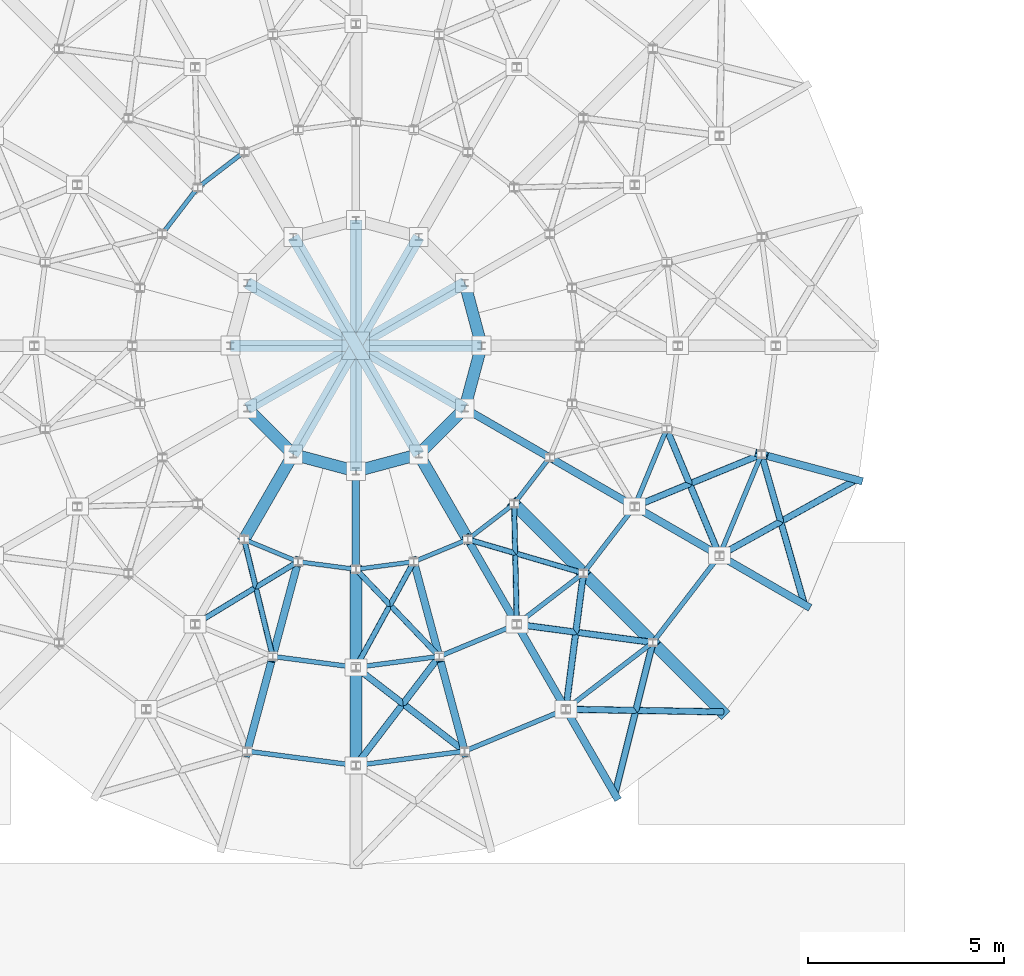
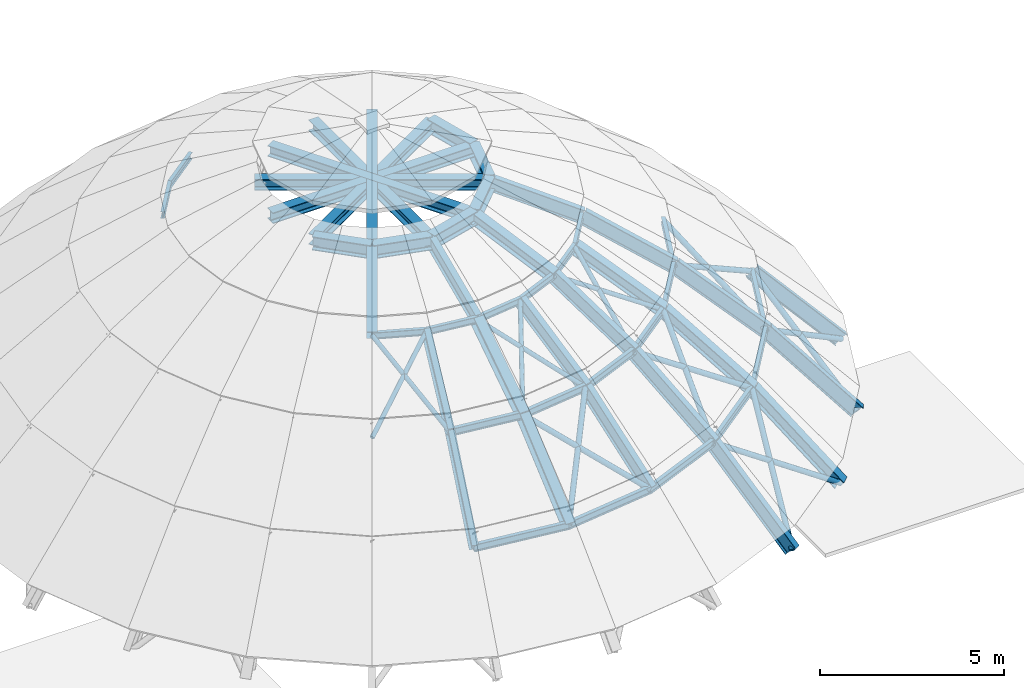
# One storey, part 8 of 31: 56 members, 12 beams.
"""IFC4 building model written with IfcOpenShell, lengths in metres."""

from ifc_helpers import new_model, si_unit, direction, frame, origin, origin_2d, place, context, subcontext, project, spatial, hollow_circle, i_section, extrude, material, material_profile, profile_set, type_object, element, save


model = new_model("IFC4")

# Units and contexts
model_context = context("Model", 3, precision=1e-05, world=origin(), true_north=direction((0.0, 1.0)))
body_context = subcontext(model_context, "Body", "Model", "MODEL_VIEW")
ifc_project = project(units=[si_unit("LENGTHUNIT", "METRE"), si_unit("AREAUNIT", "SQUARE_METRE"), si_unit("VOLUMEUNIT", "CUBIC_METRE"), si_unit("PLANEANGLEUNIT", "RADIAN"), si_unit("MASSUNIT", "GRAM", prefix="KILO")], contexts=[model_context])

# Site, building, storey
site_placement = place(None, origin())
site = spatial("IfcSite", under=ifc_project, at=site_placement, CompositionType="ELEMENT")
building_placement = place(site_placement, origin())
building = spatial("IfcBuilding", under=site, at=building_placement, Name="Clarverna Civic Hall", CompositionType="ELEMENT")
storey_placement = place(building_placement, frame((0.0, 0.0, 31.199951171875)))
storey = spatial("IfcBuildingStorey", under=building, at=storey_placement, Name="RF", CompositionType="ELEMENT", Elevation=31.199951171875)

# Members
ifc_material = material(Name="Steel S355", Category="steel")
ifc_material_profile_1 = material_profile(ifc_material, i_section(OverallWidth=0.300048828125, OverallDepth=0.360107421875, WebThickness=0.012451171875, FlangeThickness=0.0224609375, FilletRadius=0.027099609375, at=origin_2d()), Name="HEB 360")
ifc_profile_set_1 = profile_set([ifc_material_profile_1], Name="Steel S355")
member_type_1 = type_object("IfcMemberType", Name="DR-01", PredefinedType="RAFTER", material=ifc_profile_set_1)
member_1_placement = place(storey_placement, frame((92.1337890625, 49.666259765625, -10.800048828125), z_axis=(-0.480403409268, 0.480403409268, 0.733774576234), x_axis=(-0.707106781187, -0.707106781187, 0.0)))
element("IfcMember", 1, at=member_1_placement, inside=storey, type_object=member_type_1, Name="DR-01-008", PredefinedType="RAFTER", context=body_context, shape_type="SweptSolid", body=[
    extrude(i_section(OverallWidth=0.300048828125, OverallDepth=0.360107421875, WebThickness=0.012451171875, FlangeThickness=0.0224609375, FilletRadius=0.027099609375, at=origin_2d()), origin(), (0.0, 0.0, 1.0), 3.679931640625),
])
member_2_placement = place(storey_placement, frame((82.800048828125, 48.300048828125, -8.099853515625), z_axis=(0.0, 0.758199837863, 0.652022243381), x_axis=(-1.0, 0.0, 0.0)))
element("IfcMember", 2, at=member_2_placement, inside=storey, type_object=member_type_1, Name="DR-01-015", PredefinedType="RAFTER", context=body_context, shape_type="SweptSolid", body=[
    extrude(i_section(OverallWidth=0.300048828125, OverallDepth=0.360107421875, WebThickness=0.012451171875, FlangeThickness=0.0224609375, FilletRadius=0.027099609375, at=origin_2d()), origin(), (0.0, 0.0, 1.0), 3.29736328125),
])
member_3_placement = place(storey_placement, frame((90.365966796875, 51.43408203125, -8.099853515625), z_axis=(-0.536103898201, 0.536103898201, 0.652062282812), x_axis=(-0.707106781187, -0.707106781187, 0.0)))
element("IfcMember", 3, at=member_3_placement, inside=storey, type_object=member_type_1, Name="DR-01-016", PredefinedType="RAFTER", context=body_context, shape_type="SweptSolid", body=[
    extrude(i_section(OverallWidth=0.300048828125, OverallDepth=0.360107421875, WebThickness=0.012451171875, FlangeThickness=0.0224609375, FilletRadius=0.027099609375, at=origin_2d()), origin(), (0.0, 0.0, 1.0), 3.297119140625),
])
for number, where, z_axis, x_axis, name in (
    (4, (82.800048828125, 50.800048828125, -5.949951171875), (0.0, 0.834624394871, 0.550819498099), (-1.0, 0.0, 0.0), "DR-01-023"),
    (5, (88.598388671875, 53.20166015625, -5.949951171875), (-0.590174171833, 0.590174171833, 0.550807492508), (-0.707106781187, -0.707106781187, 0.0), "DR-01-024"),
):
    element("IfcMember", number, at=place(storey_placement, frame(where, z_axis=z_axis, x_axis=x_axis)), inside=storey, type_object=member_type_1, Name=name, PredefinedType="RAFTER", context=body_context, shape_type="SweptSolid", body=[
        extrude(i_section(OverallWidth=0.300048828125, OverallDepth=0.360107421875, WebThickness=0.012451171875, FlangeThickness=0.0224609375, FilletRadius=0.027099609375, at=origin_2d()), origin(), (0.0, 0.0, 1.0), 2.995361328125),
    ])
for number, where, z_axis, x_axis, name in (
    (6, (79.949951171875, 54.063720703125, -4.300048828125), (0.457654172911, 0.792671329176, 0.402771426394), (-0.866022959057, 0.500004234368, 0.0), "DR-01-029"),
    (7, (85.64990234375, 54.063720703125, -4.300048828125), (-0.457654172911, 0.792671329176, 0.402771426394), (-0.866022959057, -0.500004234368, 0.0), "DR-01-030"),
):
    element("IfcMember", number, at=place(storey_placement, frame(where, z_axis=z_axis, x_axis=x_axis)), inside=storey, type_object=member_type_1, Name=name, PredefinedType="RAFTER", context=body_context, shape_type="SweptSolid", body=[
        extrude(i_section(OverallWidth=0.300048828125, OverallDepth=0.360107421875, WebThickness=0.012451171875, FlangeThickness=0.0224609375, FilletRadius=0.027099609375, at=origin_2d()), origin(), (0.0, 0.0, 1.0), 2.731201171875),
    ])
ifc_material_profile_2 = material_profile(ifc_material, i_section(OverallWidth=0.18994140625, OverallDepth=0.449951171875, WebThickness=0.009521484375, FlangeThickness=0.0146484375, FilletRadius=0.02099609375, at=origin_2d()), Name="IPE 450")
ifc_profile_set_2 = profile_set([ifc_material_profile_2], Name="Steel S355")
member_type_2 = type_object("IfcMemberType", Name="DR-02", PredefinedType="RAFTER", material=ifc_profile_set_2)
for number, where, z_axis, x_axis, name in (
    (8, (89.39990234375, 47.568603515625, -10.800048828125), (-0.339705373326, 0.588313973688, 0.733816685349), (-0.865998541277, -0.500046524342, 0.0), "DR-02-014"),
    (9, (94.2314453125, 52.39990234375, -10.800048828125), (-0.588357355682, 0.339692113339, 0.733788041705), (-0.500004234368, -0.866022959057, 0.0), "DR-02-015"),
):
    element("IfcMember", number, at=place(storey_placement, frame(where, z_axis=z_axis, x_axis=x_axis)), inside=storey, type_object=member_type_2, Name=name, PredefinedType="RAFTER", context=body_context, shape_type="SweptSolid", body=[
        extrude(i_section(OverallWidth=0.18994140625, OverallDepth=0.449951171875, WebThickness=0.009521484375, FlangeThickness=0.0146484375, FilletRadius=0.02099609375, at=origin_2d()), origin(), (0.0, 0.0, 1.0), 3.6796875),
    ])
member_4_placement = place(storey_placement, frame((95.55029296875, 55.58349609375, -10.800048828125), z_axis=(-0.656223860205, 0.175882059792, 0.733781811128), x_axis=(-0.258884148626, -0.965908379501, 0.0)))
element("IfcMember", 10, at=member_4_placement, inside=storey, type_object=member_type_2, Name="DR-02-016", PredefinedType="RAFTER", context=body_context, shape_type="SweptSolid", body=[
    extrude(i_section(OverallWidth=0.18994140625, OverallDepth=0.449951171875, WebThickness=0.009521484375, FlangeThickness=0.0146484375, FilletRadius=0.02099609375, at=origin_2d()), origin(), (0.0, 0.0, 1.0), 3.679931640625),
])
for number, where, z_axis, x_axis, name in (
    (11, (80.030517578125, 48.66455078125, -8.099853515625), (0.196286747949, 0.73235466766, 0.652018522234), (-0.965908379501, 0.258884148626, 0.0), "DR-02-028"),
    (12, (85.5693359375, 48.66455078125, -8.099853515625), (-0.196215556614, 0.732365309611, 0.652027996808), (-0.965932795341, -0.258793034845, 0.0), "DR-02-029"),
    (13, (88.14990234375, 49.7333984375, -8.099853515625), (-0.379083333654, 0.656658219956, 0.651993717999), (-0.866047370643, -0.499961950354, 0.0), "DR-02-030"),
    (14, (92.06640625, 53.64990234375, -8.099853515625), (-0.656616103097, 0.37910176453, 0.652025417667), (-0.500004234368, -0.866022959057, 0.0), "DR-02-031"),
):
    element("IfcMember", number, at=place(storey_placement, frame(where, z_axis=z_axis, x_axis=x_axis)), inside=storey, type_object=member_type_2, Name=name, PredefinedType="RAFTER", context=body_context, shape_type="SweptSolid", body=[
        extrude(i_section(OverallWidth=0.18994140625, OverallDepth=0.449951171875, WebThickness=0.009521484375, FlangeThickness=0.0146484375, FilletRadius=0.02099609375, at=origin_2d()), origin(), (0.0, 0.0, 1.0), 3.29736328125),
    ])
for number, where, z_axis, x_axis, name in (
    (15, (80.677734375, 51.079345703125, -5.949951171875), (0.215993974184, 0.806187320247, 0.550825387749), (-0.965932795341, 0.258793034845, 0.0), "DR-02-044"),
    (16, (84.92236328125, 51.079345703125, -5.949951171875), (-0.215993974184, 0.806187320247, 0.550825387749), (-0.965932795341, -0.258793034845, 0.0), "DR-02-045"),
    (17, (86.89990234375, 51.898681640625, -5.949951171875), (-0.417314659277, 0.722802030951, 0.550822747538), (-0.866022959057, -0.500004234368, 0.0), "DR-02-046"),
    (18, (89.9013671875, 54.89990234375, -5.949951171875), (-0.722802030951, 0.417314659277, 0.550822747538), (-0.500004234368, -0.866022959057, 0.0), "DR-02-047"),
):
    element("IfcMember", number, at=place(storey_placement, frame(where, z_axis=z_axis, x_axis=x_axis)), inside=storey, type_object=member_type_2, Name=name, PredefinedType="RAFTER", context=body_context, shape_type="SweptSolid", body=[
        extrude(i_section(OverallWidth=0.18994140625, OverallDepth=0.449951171875, WebThickness=0.009521484375, FlangeThickness=0.0146484375, FilletRadius=0.02099609375, at=origin_2d()), origin(), (0.0, 0.0, 1.0), 2.995361328125),
    ])
member_5_placement = place(storey_placement, frame((82.800048828125, 53.300048828125, -4.300048828125), z_axis=(0.0, 0.915301851847, 0.402768568791), x_axis=(-1.0, 0.0, 0.0)))
element("IfcMember", 19, at=member_5_placement, inside=storey, type_object=member_type_2, Name="DR-02-053", PredefinedType="RAFTER", context=body_context, shape_type="SweptSolid", body=[
    extrude(i_section(OverallWidth=0.18994140625, OverallDepth=0.449951171875, WebThickness=0.009521484375, FlangeThickness=0.0146484375, FilletRadius=0.02099609375, at=origin_2d()), origin(), (0.0, 0.0, 1.0), 2.7314453125),
])
member_6_placement = place(storey_placement, frame((87.736328125, 56.14990234375, -4.300048828125), z_axis=(-0.792671329176, 0.457654172911, 0.402771426394), x_axis=(-0.500004234368, -0.866022959057, 0.0)))
element("IfcMember", 20, at=member_6_placement, inside=storey, type_object=member_type_2, Name="DR-02-054", PredefinedType="RAFTER", context=body_context, shape_type="SweptSolid", body=[
    extrude(i_section(OverallWidth=0.18994140625, OverallDepth=0.449951171875, WebThickness=0.009521484375, FlangeThickness=0.0146484375, FilletRadius=0.02099609375, at=origin_2d()), origin(), (0.0, 0.0, 1.0), 2.731201171875),
])
ifc_material_profile_3 = material_profile(ifc_material, hollow_circle(Radius=0.084228515625, WallThickness=0.010009765625, at=origin_2d()), Name="CHS 168.3x10.0")
ifc_profile_set_3 = profile_set([ifc_material_profile_3], Name="Steel S355")
member_type_3 = type_object("IfcMemberType", Name="LBD-1", PredefinedType="BRACE", material=ifc_profile_set_3)
for number, where, z_axis, x_axis, name in (
    (21, (89.39990234375, 47.568603515625, -10.800048828125), (0.200714221248, 0.803110504176, 0.561005632299), (-0.970160519404, 0.242463536619, 0.0), "LBD-1-021"),
    (22, (92.1337890625, 49.666259765625, -10.800048828125), (-0.827699840502, 0.013948857466, 0.560997685743), (-0.016850162834, -0.999858025928, 0.0), "LBD-1-022"),
    (23, (94.2314453125, 52.39990234375, -10.800048828125), (-0.227694362575, 0.795890452923, 0.560993461814), (-0.961429091205, -0.2750529087, 0.0), "LBD-1-023"),
    (24, (95.55029296875, 55.58349609375, -10.800048828125), (-0.723812794939, -0.401723709595, 0.560992958095), (0.4852787219, -0.874359515343, 0.0), "LBD-1-024"),
):
    element("IfcMember", number, at=place(storey_placement, frame(where, z_axis=z_axis, x_axis=x_axis)), inside=storey, type_object=member_type_3, Name=name, PredefinedType="BRACE", context=body_context, shape_type="SweptSolid", body=[
        extrude(hollow_circle(Radius=0.084228515625, WallThickness=0.010009765625, at=origin_2d()), origin(), (0.0, 0.0, 1.0), 4.813232421875),
    ])
for number, where, z_axis, x_axis, name in (
    (25, (82.800048828125, 48.300048828125, -8.099853515625), (0.517010782378, 0.677056338042, 0.52373138728), (-0.794775773574, 0.606903179873, 0.0), "LBD-1-043"),
    (26, (85.5693359375, 48.66455078125, -8.099853515625), (-0.674606013568, 0.520213241707, 0.52372216834), (-0.610658386379, -0.791894143901, 0.0), "LBD-1-044"),
):
    element("IfcMember", number, at=place(storey_placement, frame(where, z_axis=z_axis, x_axis=x_axis)), inside=storey, type_object=member_type_3, Name=name, PredefinedType="BRACE", context=body_context, shape_type="SweptSolid", body=[
        extrude(hollow_circle(Radius=0.084228515625, WallThickness=0.010009765625, at=origin_2d()), origin(), (0.0, 0.0, 1.0), 4.10498046875),
    ])
member_7_placement = place(storey_placement, frame((88.14990234375, 49.7333984375, -8.099853515625), z_axis=(0.109250319921, 0.844861211104, 0.523711658805), x_axis=(-0.991742673349, 0.128243790718, 0.0)))
element("IfcMember", 27, at=member_7_placement, inside=storey, type_object=member_type_3, Name="LBD-1-045", PredefinedType="BRACE", context=body_context, shape_type="SweptSolid", body=[
    extrude(hollow_circle(Radius=0.084228515625, WallThickness=0.010009765625, at=origin_2d()), origin(), (0.0, 0.0, 1.0), 4.105224609375),
])
for number, where, z_axis, x_axis, name in (
    (28, (90.365966796875, 51.43408203125, -8.099853515625), (-0.844339082581, 0.11317723985, 0.523719797225), (-0.132854196817, -0.991135592332, 0.0), "LBD-1-046"),
    (29, (92.06640625, 53.64990234375, -8.099853515625), (-0.327815081373, 0.786292306029, 0.523719086824), (-0.922996349486, -0.38480870421, 0.0), "LBD-1-047"),
):
    element("IfcMember", number, at=place(storey_placement, frame(where, z_axis=z_axis, x_axis=x_axis)), inside=storey, type_object=member_type_3, Name=name, PredefinedType="BRACE", context=body_context, shape_type="SweptSolid", body=[
        extrude(hollow_circle(Radius=0.084228515625, WallThickness=0.010009765625, at=origin_2d()), origin(), (0.0, 0.0, 1.0), 4.10498046875),
    ])
member_8_placement = place(storey_placement, frame((93.135498046875, 56.230712890625, -8.099853515625), z_axis=(-0.787811539996, -0.324176093041, 0.523701096188), x_axis=(0.380532104426, -0.924767710023, 0.0)))
element("IfcMember", 30, at=member_8_placement, inside=storey, type_object=member_type_3, Name="LBD-1-048", PredefinedType="BRACE", context=body_context, shape_type="SweptSolid", body=[
    extrude(hollow_circle(Radius=0.084228515625, WallThickness=0.010009765625, at=origin_2d()), origin(), (0.0, 0.0, 1.0), 4.105224609375),
])
ifc_material_profile_4 = material_profile(ifc_material, hollow_circle(Radius=0.06982421875, WallThickness=0.008056640625, at=origin_2d()), Name="CHS 139.7x8.0")
ifc_profile_set_4 = profile_set([ifc_material_profile_4], Name="Steel S355")
member_type_4 = type_object("IfcMemberType", Name="LBD-2", PredefinedType="BRACE", material=ifc_profile_set_4)
member_9_placement = place(storey_placement, frame((78.699951171875, 51.898681640625, -5.949951171875), z_axis=(0.752792908258, 0.457585494881, 0.473200118502), x_axis=(-0.519419849823, 0.854519174513, 0.0)))
element("IfcMember", 31, at=member_9_placement, inside=storey, type_object=member_type_4, Name="LBD-2-017", PredefinedType="BRACE", context=body_context, shape_type="SweptSolid", body=[
    extrude(hollow_circle(Radius=0.06982421875, WallThickness=0.008056640625, at=origin_2d()), origin(), (0.0, 0.0, 1.0), 3.486572265625),
])
member_10_placement = place(storey_placement, frame((80.677734375, 51.079345703125, -5.949951171875), z_axis=(-0.208720391718, 0.855886638161, 0.473174239258), x_axis=(-0.971528816915, -0.236921417149, 0.0)))
element("IfcMember", 32, at=member_10_placement, inside=storey, type_object=member_type_4, Name="LBD-2-018", PredefinedType="BRACE", context=body_context, shape_type="SweptSolid", body=[
    extrude(hollow_circle(Radius=0.06982421875, WallThickness=0.008056640625, at=origin_2d()), origin(), (0.0, 0.0, 1.0), 3.48681640625),
])
member_11_placement = place(storey_placement, frame((82.800048828125, 50.800048828125, -5.949951171875), z_axis=(0.423136488859, 0.772680978746, 0.473201454859), x_axis=(-0.877095470583, 0.480316078725, 0.0)))
element("IfcMember", 33, at=member_11_placement, inside=storey, type_object=member_type_4, Name="LBD-2-019", PredefinedType="BRACE", context=body_context, shape_type="SweptSolid", body=[
    extrude(hollow_circle(Radius=0.06982421875, WallThickness=0.008056640625, at=origin_2d()), origin(), (0.0, 0.0, 1.0), 3.486572265625),
])
member_12_placement = place(storey_placement, frame((84.92236328125, 51.079345703125, -5.949951171875), z_axis=(-0.608667500281, 0.636884801858, 0.473182441838), x_axis=(-0.722940404552, -0.690910393225, 0.0)))
element("IfcMember", 34, at=member_12_placement, inside=storey, type_object=member_type_4, Name="LBD-2-020", PredefinedType="BRACE", context=body_context, shape_type="SweptSolid", body=[
    extrude(hollow_circle(Radius=0.06982421875, WallThickness=0.008056640625, at=origin_2d()), origin(), (0.0, 0.0, 1.0), 3.48681640625),
])
member_13_placement = place(storey_placement, frame((86.89990234375, 51.898681640625, -5.949951171875), z_axis=(-0.01988605832, 0.880728315296, 0.473204162408), x_axis=(-0.999745189403, -0.022573352981, 0.0)))
element("IfcMember", 35, at=member_13_placement, inside=storey, type_object=member_type_4, Name="LBD-2-021", PredefinedType="BRACE", context=body_context, shape_type="SweptSolid", body=[
    extrude(hollow_circle(Radius=0.06982421875, WallThickness=0.008056640625, at=origin_2d()), origin(), (0.0, 0.0, 1.0), 3.486572265625),
])
member_14_placement = place(storey_placement, frame((88.598388671875, 53.20166015625, -5.949951171875), z_axis=(-0.845574767873, 0.24722402131, 0.473163391677), x_axis=(-0.280625566273, -0.95981732197, 0.0)))
element("IfcMember", 36, at=member_14_placement, inside=storey, type_object=member_type_4, Name="LBD-2-022", PredefinedType="BRACE", context=body_context, shape_type="SweptSolid", body=[
    extrude(hollow_circle(Radius=0.06982421875, WallThickness=0.008056640625, at=origin_2d()), origin(), (0.0, 0.0, 1.0), 3.487060546875),
])
ifc_material_profile_5 = material_profile(ifc_material, i_section(OverallWidth=0.1201171875, OverallDepth=0.239990234375, WebThickness=0.006103515625, FlangeThickness=0.009765625, FilletRadius=0.014892578125, at=origin_2d()), Name="IPE 240")
ifc_profile_set_5 = profile_set([ifc_material_profile_5], Name="Steel S355")
member_type_5 = type_object("IfcMemberType", Name="PU-DR1", PredefinedType="PURLIN", material=ifc_profile_set_5)
member_15_placement = place(storey_placement, frame((80.030517578125, 48.66455078125, -8.099853515625), z_axis=(0.991450130364, -0.130486164019, 0.0), x_axis=(0.130486164019, 0.991450130364, 0.0)))
element("IfcMember", 37, at=member_15_placement, inside=storey, type_object=member_type_5, Name="PU-DR1-018", PredefinedType="PURLIN", context=body_context, shape_type="SweptSolid", body=[
    extrude(i_section(OverallWidth=0.1201171875, OverallDepth=0.239990234375, WebThickness=0.006103515625, FlangeThickness=0.009765625, FilletRadius=0.014892578125, at=origin_2d()), origin(), (0.0, 0.0, 1.0), 2.79345703125),
])
for number, where, z_axis, x_axis, name in (
    (38, (82.800048828125, 48.300048828125, -8.099853515625), (0.991448642066, 0.130497471798, 0.0), (-0.130497471798, 0.991448642066, 0.0), "PU-DR1-019"),
    (39, (85.5693359375, 48.66455078125, -8.099853515625), (0.92388686727, 0.382665724211, 0.0), (-0.382665724211, 0.92388686727, 0.0), "PU-DR1-020"),
):
    element("IfcMember", number, at=place(storey_placement, frame(where, z_axis=z_axis, x_axis=x_axis)), inside=storey, type_object=member_type_5, Name=name, PredefinedType="PURLIN", context=body_context, shape_type="SweptSolid", body=[
        extrude(i_section(OverallWidth=0.1201171875, OverallDepth=0.239990234375, WebThickness=0.006103515625, FlangeThickness=0.009765625, FilletRadius=0.014892578125, at=origin_2d()), origin(), (0.0, 0.0, 1.0), 2.793212890625),
    ])
member_16_placement = place(storey_placement, frame((88.14990234375, 49.7333984375, -8.099853515625), z_axis=(0.793312271081, 0.608814947708, 0.0), x_axis=(-0.608814947708, 0.793312271081, 0.0)))
element("IfcMember", 40, at=member_16_placement, inside=storey, type_object=member_type_5, Name="PU-DR1-021", PredefinedType="PURLIN", context=body_context, shape_type="SweptSolid", body=[
    extrude(i_section(OverallWidth=0.1201171875, OverallDepth=0.239990234375, WebThickness=0.006103515625, FlangeThickness=0.009765625, FilletRadius=0.014892578125, at=origin_2d()), origin(), (0.0, 0.0, 1.0), 2.79345703125),
])
member_17_placement = place(storey_placement, frame((90.365966796875, 51.43408203125, -8.099853515625), z_axis=(0.608802154131, 0.793322089145, 0.0), x_axis=(-0.793322089145, 0.608802154131, 0.0)))
element("IfcMember", 41, at=member_17_placement, inside=storey, type_object=member_type_5, Name="PU-DR1-022", PredefinedType="PURLIN", context=body_context, shape_type="SweptSolid", body=[
    extrude(i_section(OverallWidth=0.1201171875, OverallDepth=0.239990234375, WebThickness=0.006103515625, FlangeThickness=0.009765625, FilletRadius=0.014892578125, at=origin_2d()), origin(), (0.0, 0.0, 1.0), 2.79296875),
])
member_18_placement = place(storey_placement, frame((92.06640625, 53.64990234375, -8.099853515625), z_axis=(0.382709424419, 0.923868765822, 0.0), x_axis=(-0.923868765822, 0.382709424419, 0.0)))
element("IfcMember", 42, at=member_18_placement, inside=storey, type_object=member_type_5, Name="PU-DR1-023", PredefinedType="PURLIN", context=body_context, shape_type="SweptSolid", body=[
    extrude(i_section(OverallWidth=0.1201171875, OverallDepth=0.239990234375, WebThickness=0.006103515625, FlangeThickness=0.009765625, FilletRadius=0.014892578125, at=origin_2d()), origin(), (0.0, 0.0, 1.0), 2.79345703125),
])
for number, where, z_axis, x_axis, name in (
    (43, (80.677734375, 51.079345703125, -5.949951171875), (0.991451577962, -0.130475164522, 0.0), (0.130475164522, 0.991451577962, 0.0), "PU-DR1-042"),
    (44, (82.800048828125, 50.800048828125, -5.949951171875), (0.991451577962, 0.130475164522, 0.0), (-0.130475164522, 0.991451577962, 0.0), "PU-DR1-043"),
    (45, (84.92236328125, 51.079345703125, -5.949951171875), (0.923844440487, 0.382768141022, 0.0), (-0.382768141022, 0.923844440487, 0.0), "PU-DR1-044"),
    (46, (86.89990234375, 51.898681640625, -5.949951171875), (0.793424600985, 0.608668549009, 0.0), (-0.608668549009, 0.793424600985, 0.0), "PU-DR1-045"),
    (47, (88.598388671875, 53.20166015625, -5.949951171875), (0.608723629514, 0.793382343433, 0.0), (-0.793382343433, 0.608723629514, 0.0), "PU-DR1-046"),
):
    element("IfcMember", number, at=place(storey_placement, frame(where, z_axis=z_axis, x_axis=x_axis)), inside=storey, type_object=member_type_5, Name=name, PredefinedType="PURLIN", context=body_context, shape_type="SweptSolid", body=[
        extrude(i_section(OverallWidth=0.1201171875, OverallDepth=0.239990234375, WebThickness=0.006103515625, FlangeThickness=0.009765625, FilletRadius=0.014892578125, at=origin_2d()), origin(), (0.0, 0.0, 1.0), 2.140625),
    ])
member_19_placement = place(storey_placement, frame((89.9013671875, 54.89990234375, -5.949951171875), z_axis=(0.382727813026, 0.923861148191, 0.0), x_axis=(-0.923861148191, 0.382727813026, 0.0)))
element("IfcMember", 48, at=member_19_placement, inside=storey, type_object=member_type_5, Name="PU-DR1-047", PredefinedType="PURLIN", context=body_context, shape_type="SweptSolid", body=[
    extrude(i_section(OverallWidth=0.1201171875, OverallDepth=0.239990234375, WebThickness=0.006103515625, FlangeThickness=0.009765625, FilletRadius=0.014892578125, at=origin_2d()), origin(), (0.0, 0.0, 1.0), 2.140869140625),
])
ifc_material_profile_6 = material_profile(ifc_material, i_section(OverallWidth=0.110107421875, OverallDepth=0.219970703125, WebThickness=0.005859375, FlangeThickness=0.00927734375, FilletRadius=0.011962890625, at=origin_2d()), Name="IPE 220")
ifc_profile_set_6 = profile_set([ifc_material_profile_6], Name="Steel S355")
member_type_6 = type_object("IfcMemberType", Name="PU-DR2", PredefinedType="PURLIN", material=ifc_profile_set_6)
for number, where, z_axis, x_axis, name in (
    (49, (79.949951171875, 63.936279296875, -4.300048828125), (-0.79335539968, -0.608758745152, 0.0), (0.608758745152, -0.79335539968, 0.0), "PU-DR2-009"),
    (50, (78.76953125, 63.030517578125, -4.300048828125), (-0.608758745152, -0.79335539968, 0.0), (0.79335539968, -0.608758745152, 0.0), "PU-DR2-010"),
):
    element("IfcMember", number, at=place(storey_placement, frame(where, z_axis=z_axis, x_axis=x_axis)), inside=storey, type_object=member_type_6, Name=name, PredefinedType="PURLIN", context=body_context, shape_type="SweptSolid", body=[
        extrude(i_section(OverallWidth=0.110107421875, OverallDepth=0.219970703125, WebThickness=0.005859375, FlangeThickness=0.00927734375, FilletRadius=0.011962890625, at=origin_2d()), origin(), (0.0, 0.0, 1.0), 1.48779296875),
    ])
for number, where, z_axis, x_axis, name in (
    (51, (79.949951171875, 54.063720703125, -4.300048828125), (0.923846847066, -0.382762332482, 0.0), (0.382762332482, 0.923846847066, 0.0), "PU-DR2-017"),
    (52, (81.32470703125, 53.494140625, -4.300048828125), (0.991457087471, -0.130433292163, 0.0), (0.130433292163, 0.991457087471, 0.0), "PU-DR2-018"),
    (53, (82.800048828125, 53.300048828125, -4.300048828125), (0.991457087471, 0.130433292163, 0.0), (-0.130433292163, 0.991457087471, 0.0), "PU-DR2-019"),
):
    element("IfcMember", number, at=place(storey_placement, frame(where, z_axis=z_axis, x_axis=x_axis)), inside=storey, type_object=member_type_6, Name=name, PredefinedType="PURLIN", context=body_context, shape_type="SweptSolid", body=[
        extrude(i_section(OverallWidth=0.110107421875, OverallDepth=0.219970703125, WebThickness=0.005859375, FlangeThickness=0.00927734375, FilletRadius=0.011962890625, at=origin_2d()), origin(), (0.0, 0.0, 1.0), 1.488037109375),
    ])
member_20_placement = place(storey_placement, frame((84.275390625, 53.494140625, -4.300048828125), z_axis=(0.923822805011, 0.382820355966, 0.0), x_axis=(-0.382820355966, 0.923822805011, 0.0)))
element("IfcMember", 54, at=member_20_placement, inside=storey, type_object=member_type_6, Name="PU-DR2-020", PredefinedType="PURLIN", context=body_context, shape_type="SweptSolid", body=[
    extrude(i_section(OverallWidth=0.110107421875, OverallDepth=0.219970703125, WebThickness=0.005859375, FlangeThickness=0.00927734375, FilletRadius=0.011962890625, at=origin_2d()), origin(), (0.0, 0.0, 1.0), 1.48779296875),
])
member_21_placement = place(storey_placement, frame((85.64990234375, 54.063720703125, -4.300048828125), z_axis=(0.793416195949, 0.608679505163, 0.0), x_axis=(-0.608679505163, 0.793416195949, 0.0)))
element("IfcMember", 55, at=member_21_placement, inside=storey, type_object=member_type_6, Name="PU-DR2-021", PredefinedType="PURLIN", context=body_context, shape_type="SweptSolid", body=[
    extrude(i_section(OverallWidth=0.110107421875, OverallDepth=0.219970703125, WebThickness=0.005859375, FlangeThickness=0.00927734375, FilletRadius=0.011962890625, at=origin_2d()), origin(), (0.0, 0.0, 1.0), 1.488037109375),
])
member_22_placement = place(storey_placement, frame((86.83056640625, 54.969482421875, -4.300048828125), z_axis=(0.608758745152, 0.79335539968, 0.0), x_axis=(-0.79335539968, 0.608758745152, 0.0)))
element("IfcMember", 56, at=member_22_placement, inside=storey, type_object=member_type_6, Name="PU-DR2-022", PredefinedType="PURLIN", context=body_context, shape_type="SweptSolid", body=[
    extrude(i_section(OverallWidth=0.110107421875, OverallDepth=0.219970703125, WebThickness=0.005859375, FlangeThickness=0.00927734375, FilletRadius=0.011962890625, at=origin_2d()), origin(), (0.0, 0.0, 1.0), 1.48779296875),
])

# Beams
ifc_material_profile_7 = material_profile(ifc_material, i_section(OverallWidth=0.300048828125, OverallDepth=0.449951171875, WebThickness=0.013916015625, FlangeThickness=0.02587890625, FilletRadius=0.027099609375, at=origin_2d()), Name="HEB 450")
ifc_profile_set_7 = profile_set([ifc_material_profile_7], Name="Steel S355")
beam_type_1 = type_object("IfcBeamType", Name="RB-OC1", PredefinedType="BEAM", material=ifc_profile_set_7)
beam_1_placement = place(storey_placement, frame((86.0, 59.0, -3.199951171875), z_axis=(-0.258799930484, 0.965930947833, 0.0), x_axis=(-0.965930947833, -0.258799930484, 0.0)))
element("IfcBeam", 57, at=beam_1_placement, inside=storey, type_object=beam_type_1, Name="Dome Oculus Ring Beam RB-OC1-01", PredefinedType="BEAM", context=body_context, shape_type="SweptSolid", body=[
    extrude(i_section(OverallWidth=0.300048828125, OverallDepth=0.449951171875, WebThickness=0.013916015625, FlangeThickness=0.02587890625, FilletRadius=0.027099609375, at=origin_2d()), origin(), (0.0, 0.0, 1.0), 1.656494140625),
])
beam_2_placement = place(storey_placement, frame((80.02880859375, 57.39990234375, -3.199951171875), z_axis=(0.707106781187, -0.707106781187, 0.0), x_axis=(0.707106781187, 0.707106781187, 0.0)))
element("IfcBeam", 58, at=beam_2_placement, inside=storey, type_object=beam_type_1, Name="Dome Oculus Ring Beam RB-OC1-08", PredefinedType="BEAM", context=body_context, shape_type="SweptSolid", body=[
    extrude(i_section(OverallWidth=0.300048828125, OverallDepth=0.449951171875, WebThickness=0.013916015625, FlangeThickness=0.02587890625, FilletRadius=0.027099609375, at=origin_2d()), origin(), (0.0, 0.0, 1.0), 1.65625),
])
beam_3_placement = place(storey_placement, frame((81.199951171875, 56.228759765625, -3.199951171875), z_axis=(0.965930947833, -0.258799930484, 0.0), x_axis=(0.258799930484, 0.965930947833, 0.0)))
element("IfcBeam", 59, at=beam_3_placement, inside=storey, type_object=beam_type_1, Name="Dome Oculus Ring Beam RB-OC1-09", PredefinedType="BEAM", context=body_context, shape_type="SweptSolid", body=[
    extrude(i_section(OverallWidth=0.300048828125, OverallDepth=0.449951171875, WebThickness=0.013916015625, FlangeThickness=0.02587890625, FilletRadius=0.027099609375, at=origin_2d()), origin(), (0.0, 0.0, 1.0), 1.656494140625),
])
beam_4_placement = place(storey_placement, frame((82.800048828125, 55.800048828125, -3.199951171875), z_axis=(0.96592107457, 0.258836778108, 0.0), x_axis=(-0.258836778108, 0.96592107457, 0.0)))
element("IfcBeam", 60, at=beam_4_placement, inside=storey, type_object=beam_type_1, Name="Dome Oculus Ring Beam RB-OC1-10", PredefinedType="BEAM", context=body_context, shape_type="SweptSolid", body=[
    extrude(i_section(OverallWidth=0.300048828125, OverallDepth=0.449951171875, WebThickness=0.013916015625, FlangeThickness=0.02587890625, FilletRadius=0.027099609375, at=origin_2d()), origin(), (0.0, 0.0, 1.0), 1.65625),
])
for number, where, z_axis, x_axis, name in (
    (61, (84.39990234375, 56.228759765625, -3.199951171875), (0.707180472685, 0.707033082007, 0.0), (-0.707033082007, 0.707180472685, 0.0), "Dome Oculus Ring Beam RB-OC1-11"),
    (62, (85.5712890625, 57.39990234375, -3.199951171875), (0.258799930484, 0.965930947833, 0.0), (-0.965930947833, 0.258799930484, 0.0), "Dome Oculus Ring Beam RB-OC1-12"),
):
    element("IfcBeam", number, at=place(storey_placement, frame(where, z_axis=z_axis, x_axis=x_axis)), inside=storey, type_object=beam_type_1, Name=name, PredefinedType="BEAM", context=body_context, shape_type="SweptSolid", body=[
        extrude(i_section(OverallWidth=0.300048828125, OverallDepth=0.449951171875, WebThickness=0.013916015625, FlangeThickness=0.02587890625, FilletRadius=0.027099609375, at=origin_2d()), origin(), (0.0, 0.0, 1.0), 1.656494140625),
    ])
ifc_material_profile_8 = material_profile(ifc_material, i_section(OverallWidth=0.300048828125, OverallDepth=0.360107421875, WebThickness=0.012451171875, FlangeThickness=0.0224609375, FilletRadius=0.027099609375, at=origin_2d()), Name="HEB 360")
ifc_profile_set_8 = profile_set([ifc_material_profile_8], Name="Steel S355")
beam_type_2 = type_object("IfcBeamType", Name="RB-OC2", PredefinedType="BEAM", material=ifc_profile_set_8)
beam_5_placement = place(storey_placement, frame((86.0, 59.0, -3.199951171875), z_axis=(-1.0, 0.0, 0.0), x_axis=(0.0, -1.0, 0.0)))
element("IfcBeam", 63, at=beam_5_placement, inside=storey, type_object=beam_type_2, Name="Dome Sunburst Oculus Ring Tie RB-OC2-01", PredefinedType="BEAM", context=body_context, shape_type="SweptSolid", body=[
    extrude(i_section(OverallWidth=0.300048828125, OverallDepth=0.360107421875, WebThickness=0.012451171875, FlangeThickness=0.0224609375, FilletRadius=0.027099609375, at=origin_2d()), origin(), (0.0, 0.0, 1.0), 6.39990234375),
])
beam_6_placement = place(storey_placement, frame((85.5712890625, 60.60009765625, -3.199951171875), z_axis=(-0.866008981251, -0.500028443584, 0.0), x_axis=(0.500028443584, -0.866008981251, 0.0)))
element("IfcBeam", 64, at=beam_6_placement, inside=storey, type_object=beam_type_2, Name="Dome Sunburst Oculus Ring Tie RB-OC2-02", PredefinedType="BEAM", context=body_context, shape_type="SweptSolid", body=[
    extrude(i_section(OverallWidth=0.300048828125, OverallDepth=0.360107421875, WebThickness=0.012451171875, FlangeThickness=0.0224609375, FilletRadius=0.027099609375, at=origin_2d()), origin(), (0.0, 0.0, 1.0), 6.400146484375),
])
for number, where, z_axis, x_axis, name in (
    (65, (84.39990234375, 61.771240234375, -3.199951171875), (-0.499999833739, -0.866025499775, 0.0), (0.866025499775, -0.499999833739, 0.0), "Dome Sunburst Oculus Ring Tie RB-OC2-03"),
    (66, (82.800048828125, 62.199951171875, -3.199951171875), (0.0, -1.0, 0.0), (1.0, 0.0, 0.0), "Dome Sunburst Oculus Ring Tie RB-OC2-04"),
    (67, (81.199951171875, 61.771240234375, -3.199951171875), (0.499999833739, -0.866025499775, 0.0), (0.866025499775, 0.499999833739, 0.0), "Dome Sunburst Oculus Ring Tie RB-OC2-05"),
):
    element("IfcBeam", number, at=place(storey_placement, frame(where, z_axis=z_axis, x_axis=x_axis)), inside=storey, type_object=beam_type_2, Name=name, PredefinedType="BEAM", context=body_context, shape_type="SweptSolid", body=[
        extrude(i_section(OverallWidth=0.300048828125, OverallDepth=0.360107421875, WebThickness=0.012451171875, FlangeThickness=0.0224609375, FilletRadius=0.027099609375, at=origin_2d()), origin(), (0.0, 0.0, 1.0), 6.39990234375),
    ])
beam_7_placement = place(storey_placement, frame((80.02880859375, 60.60009765625, -3.199951171875), z_axis=(0.866008981251, -0.500028443584, 0.0), x_axis=(0.500028443584, 0.866008981251, 0.0)))
element("IfcBeam", 68, at=beam_7_placement, inside=storey, type_object=beam_type_2, Name="Dome Sunburst Oculus Ring Tie RB-OC2-06", PredefinedType="BEAM", context=body_context, shape_type="SweptSolid", body=[
    extrude(i_section(OverallWidth=0.300048828125, OverallDepth=0.360107421875, WebThickness=0.012451171875, FlangeThickness=0.0224609375, FilletRadius=0.027099609375, at=origin_2d()), origin(), (0.0, 0.0, 1.0), 6.400146484375),
])

save(model, "model.ifc")
